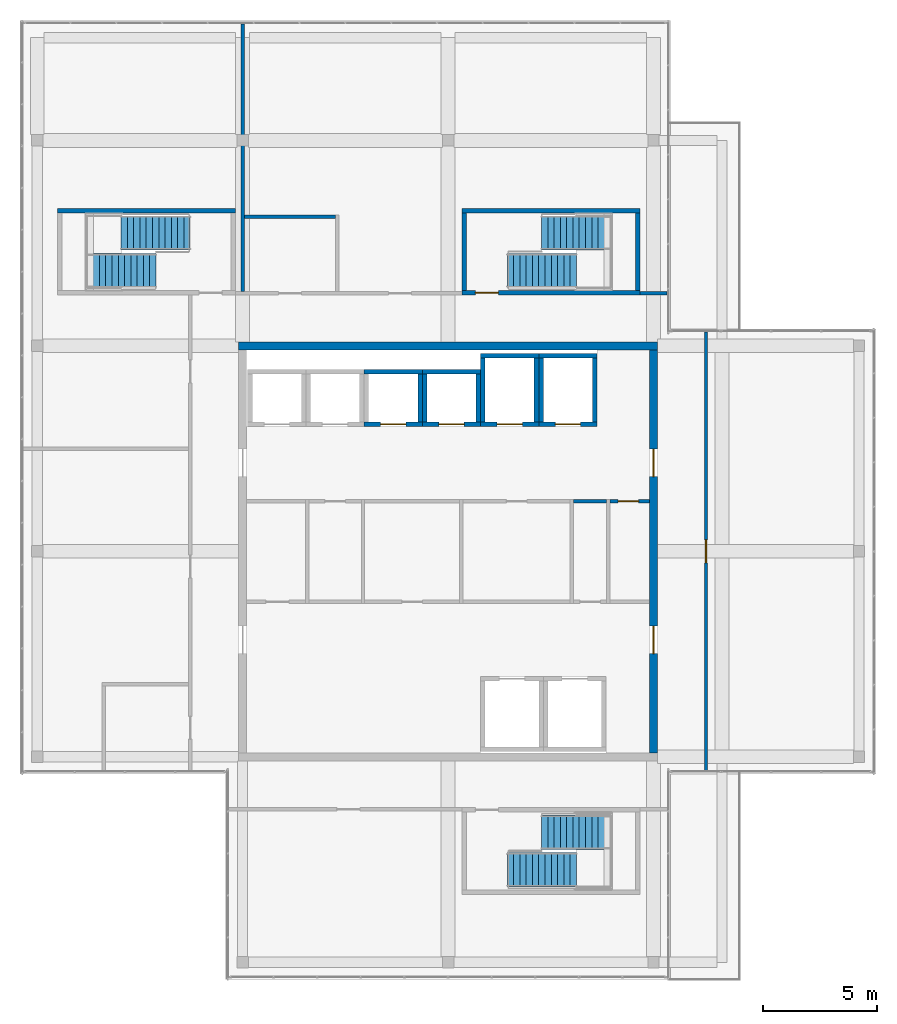
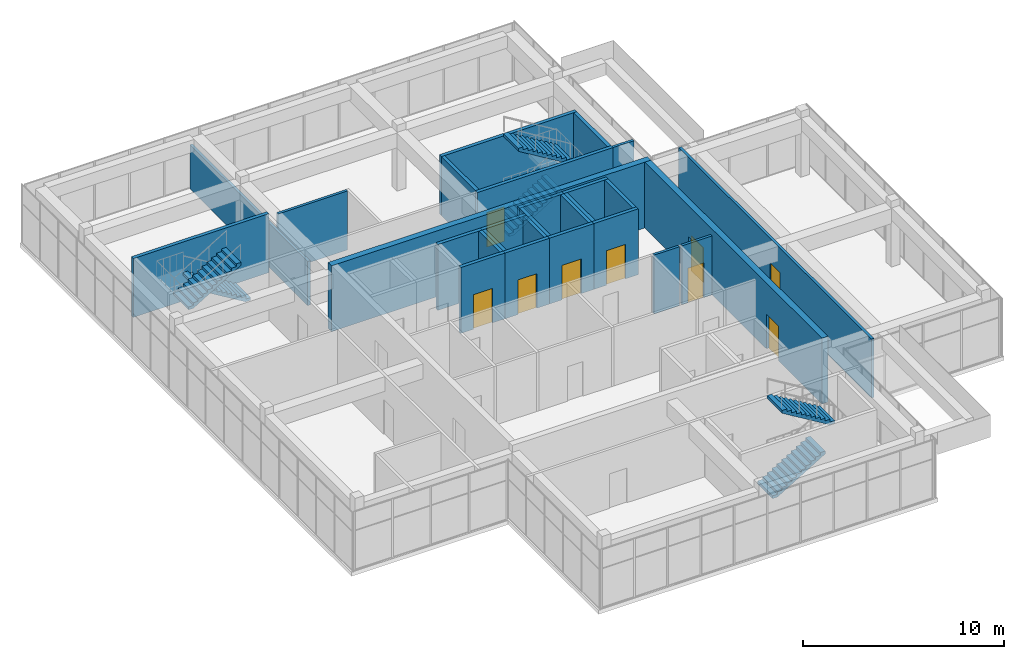
# One storey, part 34 of 36: 28 walls, 9 doors, 6 stair flights, 9 openings, 3 elements without a shape of their own.
"""IFC4 building model written with IfcOpenShell, lengths in metres."""

from ifc_helpers import new_model, si_unit, direction, frame, frame_2d, origin, place, context, subcontext, project, spatial, polyline, rectangle, outline, extrude, material, layer, layer_set, type_object, element, fill, aggregate, save


model = new_model("IFC4")

# Units and contexts
model_context = context("Model", 3, precision=1e-05, world=origin(), true_north=direction((0.0, 1.0)))
body_context = subcontext(model_context, "Body", "Model", "MODEL_VIEW")
ifc_project = project(units=[si_unit("LENGTHUNIT", "METRE"), si_unit("AREAUNIT", "SQUARE_METRE"), si_unit("VOLUMEUNIT", "CUBIC_METRE"), si_unit("PLANEANGLEUNIT", "RADIAN"), si_unit("MASSUNIT", "GRAM", prefix="KILO")], contexts=[model_context])

# Site, building, storey
site_placement = place(None, origin())
site = spatial("IfcSite", under=ifc_project, at=site_placement, CompositionType="ELEMENT")
building_placement = place(site_placement, origin())
building = spatial("IfcBuilding", under=site, at=building_placement, Name="Tuart Plaza Theatre", CompositionType="ELEMENT")
storey_placement = place(building_placement, frame((0.0, 0.0, 61.5)))
storey = spatial("IfcBuildingStorey", under=building, at=storey_placement, Name="L15", CompositionType="ELEMENT", Elevation=61.5)

# Wall
ifc_material_1 = material(Name="Masonry block", Category="masonry")
ifc_layer_1 = layer(ifc_material_1, 0.14990234375)
ifc_layer_set_1 = layer_set([ifc_layer_1], Name="PARTITION BLK150 MASONRYB FRL -/120/120")
wall_type_1 = type_object("IfcWallType", Name="PARTITION BLK150 MASONRYB FRL -/120/120", PredefinedType="PARTITIONING", material=ifc_layer_set_1)
wall_1_placement = place(storey_placement, frame((137.5, 76.199951171875, 0.0), z_axis=(0.0, 0.0, 1.0), x_axis=(1.0, 0.0, 0.0)))
element("IfcWall", 1, at=wall_1_placement, inside=storey, type_object=wall_type_1, Name="P706", PredefinedType="PARTITIONING", context=body_context, shape_type="SweptSolid", body=[
    extrude(rectangle(XDim=1.449951171875, YDim=0.14990234375, at=frame_2d((0.72509765625, 0.0))), origin(), (0.0, 0.0, 1.0), 3.580078125),
])

# Wall, opening, door
wall_2_placement = place(storey_placement, frame((139.10009765625, 76.199951171875, 0.0), z_axis=(0.0, 0.0, 1.0), x_axis=(1.0, 0.0, 0.0)))
wall_2 = element("IfcWall", 2, at=wall_2_placement, inside=storey, type_object=wall_type_1, Name="P708", PredefinedType="PARTITIONING", context=body_context, shape_type="SweptSolid", body=[
    extrude(rectangle(XDim=1.724853515625, YDim=0.14990234375, at=frame_2d((0.8623046875, 0.0))), origin(), (0.0, 0.0, 1.0), 3.580078125),
])
opening_1_placement = place(wall_2_placement, frame((0.35009765625, 0.0, 0.0)))
opening_1 = element("IfcOpeningElement", 3, at=opening_1_placement, cuts=wall_2, Name="Opening L15-021", PredefinedType="OPENING", context=body_context, shape_type="SweptSolid", body=[
    extrude(rectangle(XDim=0.89990234375, YDim=2.10009765625, at=frame_2d((0.449951171875, 1.050048828125))), frame((0.0, 0.0849609375, 0.0), z_axis=(0.0, -1.0, 0.0), x_axis=(1.0, 0.0, 0.0)), (0.0, 0.0, 1.0), 0.169921875),
])
ifc_material_2 = material(Name="Steel Grade 300", Category="steel")
door_type_1 = type_object("IfcDoorType", Name="DOOR 900x2100 steel single swing FRL -/120/30", OperationType="SINGLE_SWING_LEFT", PredefinedType="DOOR", material=ifc_material_2)
door_1_placement = place(opening_1_placement, frame((0.89990234375, 0.0, 0.0), z_axis=(0.0, 0.0, 1.0), x_axis=(-1.0, 0.0, 0.0)))
door_1 = element("IfcDoor", 4, at=door_1_placement, inside=storey, type_object=door_type_1, Name="L15-021", OperationType="SINGLE_SWING_LEFT", OverallHeight=2.10009765625, OverallWidth=0.89990234375, PredefinedType="DOOR", context=body_context, shape_type="SweptSolid", body=[
    extrude(rectangle(XDim=0.89990234375, YDim=2.10009765625, at=frame_2d((0.449951171875, 1.050048828125))), frame((0.0, 0.02490234375, 0.0), z_axis=(0.0, -1.0, 0.0), x_axis=(1.0, 0.0, 0.0)), (0.0, 0.0, 1.0), 0.050048828125),
])
fill(opening_1, door_1)

ifc_material_3 = material(Name="Masonry block", Category="masonry")
ifc_layer_2 = layer(ifc_material_3, 0.14990234375)
ifc_layer_set_2 = layer_set([ifc_layer_2], Name="PARTITION BLK150 MASONRYB FRL 120/-/-")
wall_type_2 = type_object("IfcWallType", Name="PARTITION BLK150 MASONRYB FRL 120/-/-", PredefinedType="PARTITIONING", material=ifc_layer_set_2)
wall_3_placement = place(storey_placement, frame((143.300048828125, 83.60009765625, 0.0), z_axis=(0.0, 0.0, 1.0), x_axis=(0.0, -1.0, 0.0)))
wall_3 = element("IfcWall", 5, at=wall_3_placement, inside=storey, type_object=wall_type_2, Name="P712", PredefinedType="PARTITIONING", context=body_context, shape_type="SweptSolid", body=[
    extrude(rectangle(XDim=19.2001953125, YDim=0.14990234375, at=frame_2d((9.60009765625, 0.0))), origin(), (0.0, 0.0, 1.0), 3.580078125),
])
opening_2_placement = place(wall_3_placement, frame((9.10009765625, 0.0, 0.0)))
opening_2 = element("IfcOpeningElement", 6, at=opening_2_placement, cuts=wall_3, Name="Opening L15-026", PredefinedType="OPENING", context=body_context, shape_type="SweptSolid", body=[
    extrude(rectangle(XDim=1.0, YDim=2.10009765625, at=frame_2d((0.5, 1.050048828125))), frame((0.0, 0.0849609375, 0.0), z_axis=(0.0, -1.0, 0.0), x_axis=(1.0, 0.0, 0.0)), (0.0, 0.0, 1.0), 0.169921875),
])
ifc_material_4 = material(Name="Timber", Category="wood")
door_type_2 = type_object("IfcDoorType", Name="DOOR 1000x2100 timber single swing FRL -/60/30", OperationType="SINGLE_SWING_LEFT", PredefinedType="DOOR", material=ifc_material_4)
door_2_placement = place(opening_2_placement, origin())
door_2 = element("IfcDoor", 7, at=door_2_placement, inside=storey, type_object=door_type_2, Name="L15-026", OperationType="SINGLE_SWING_LEFT", OverallHeight=2.10009765625, OverallWidth=1.0, PredefinedType="DOOR", context=body_context, shape_type="SweptSolid", body=[
    extrude(rectangle(XDim=1.0, YDim=2.10009765625, at=frame_2d((0.5, 1.050048828125))), frame((0.0, 0.02490234375, 0.0), z_axis=(0.0, -1.0, 0.0), x_axis=(1.0, 0.0, 0.0)), (0.0, 0.0, 1.0), 0.050048828125),
])
fill(opening_2, door_2)

# Walls
wall_4_placement = place(storey_placement, frame((140.39990234375, 85.300048828125, 0.0), z_axis=(0.0, 0.0, 1.0), x_axis=(1.0, 0.0, 0.0)))
element("IfcWall", 8, at=wall_4_placement, inside=storey, type_object=wall_type_2, Name="P714", PredefinedType="PARTITIONING", context=body_context, shape_type="SweptSolid", body=[
    extrude(rectangle(XDim=1.2001953125, YDim=0.14990234375, at=frame_2d((0.60009765625, 0.0))), origin(), (0.0, 0.0, 1.0), 3.580078125),
])
wall_5_placement = place(storey_placement, frame((123.0, 85.3740234375, 0.0), z_axis=(0.0, 0.0, 1.0), x_axis=(0.0, 1.0, 0.0)))
element("IfcWall", 9, at=wall_5_placement, inside=storey, type_object=wall_type_2, Name="P715", PredefinedType="PARTITIONING", context=body_context, shape_type="SweptSolid", body=[
    extrude(rectangle(XDim=11.72607421875, YDim=0.14990234375, at=frame_2d((5.863037109375, 0.0))), origin(), (0.0, 0.0, 1.0), 2.679931640625),
])
wall_6_placement = place(storey_placement, frame((123.074951171875, 88.64990234375, 0.0), z_axis=(0.0, 0.0, 1.0), x_axis=(1.0, 0.0, 0.0)))
element("IfcWall", 10, at=wall_6_placement, inside=storey, type_object=wall_type_2, Name="P719", PredefinedType="PARTITIONING", context=body_context, shape_type="SweptSolid", body=[
    extrude(rectangle(XDim=4.0, YDim=0.14990234375, at=frame_2d((2.0, 0.0))), origin(), (0.0, 0.0, 1.0), 3.580078125),
])

# Wall, opening, door
ifc_material_5 = material(Name="Concrete N40 (40 MPa)", Category="concrete")
ifc_layer_3 = layer(ifc_material_5, 0.199951171875)
ifc_layer_set_3 = layer_set([ifc_layer_3], Name="SHEAR WALL RC200 FRL 120/120/120")
wall_type_3 = type_object("IfcWallType", Name="SHEAR WALL RC200 FRL 120/120/120", PredefinedType="SHEAR", material=ifc_layer_set_3)
wall_7_placement = place(storey_placement, frame((128.324951171875, 79.574951171875, 0.0), z_axis=(0.0, 0.0, 1.0), x_axis=(1.0, 0.0, 0.0)))
wall_7 = element("IfcWall", 11, at=wall_7_placement, inside=storey, type_object=wall_type_3, Name="W930", PredefinedType="SHEAR", context=body_context, shape_type="SweptSolid", body=[
    extrude(rectangle(XDim=2.550048828125, YDim=0.199951171875, at=frame_2d((1.27490234375, 0.0))), origin(), (0.0, 0.0, 1.0), 4.0),
])
opening_3_placement = place(wall_7_placement, frame((0.72509765625, 0.0, 0.0)))
opening_3 = element("IfcOpeningElement", 12, at=opening_3_placement, cuts=wall_7, Name="Opening L15-003", PredefinedType="OPENING", context=body_context, shape_type="SweptSolid", body=[
    extrude(rectangle(XDim=1.10009765625, YDim=2.10009765625, at=frame_2d((0.550048828125, 1.050048828125))), frame((0.0, 0.10986328125, 0.0), z_axis=(0.0, -1.0, 0.0), x_axis=(1.0, 0.0, 0.0)), (0.0, 0.0, 1.0), 0.219970703125),
])
ifc_material_6 = material(Name="Steel Grade 300", Category="steel")
door_type_3 = type_object("IfcDoorType", Name="LANDING DOOR 1100x2100 steel sliding FRL -/120/30", OperationType="SLIDING_TO_LEFT", PredefinedType="DOOR", material=ifc_material_6)
door_3_placement = place(opening_3_placement, origin())
door_3 = element("IfcDoor", 13, at=door_3_placement, inside=storey, type_object=door_type_3, Name="L15-003", OperationType="SLIDING_TO_LEFT", OverallHeight=2.10009765625, OverallWidth=1.10009765625, PredefinedType="DOOR", context=body_context, shape_type="SweptSolid", body=[
    extrude(rectangle(XDim=1.10009765625, YDim=2.10009765625, at=frame_2d((0.550048828125, 1.050048828125))), frame((0.0, 0.02490234375, 0.0), z_axis=(0.0, -1.0, 0.0), x_axis=(1.0, 0.0, 0.0)), (0.0, 0.0, 1.0), 0.050048828125),
])
fill(opening_3, door_3)

# Walls
wall_8_placement = place(storey_placement, frame((130.77490234375, 79.675048828125, 0.0), z_axis=(0.0, 0.0, 1.0), x_axis=(0.0, 1.0, 0.0)))
element("IfcWall", 14, at=wall_8_placement, inside=storey, type_object=wall_type_3, Name="W931", PredefinedType="SHEAR", context=body_context, shape_type="SweptSolid", body=[
    extrude(rectangle(XDim=2.099853515625, YDim=0.199951171875, at=frame_2d((1.0498046875, 0.0))), origin(), (0.0, 0.0, 1.0), 4.0),
])
wall_9_placement = place(storey_placement, frame((130.875, 81.875, 0.0), z_axis=(0.0, 0.0, 1.0), x_axis=(-1.0, 0.0, 0.0)))
element("IfcWall", 15, at=wall_9_placement, inside=storey, type_object=wall_type_3, Name="W932", PredefinedType="SHEAR", context=body_context, shape_type="SweptSolid", body=[
    extrude(rectangle(XDim=2.550048828125, YDim=0.199951171875, at=frame_2d((1.27490234375, 0.0))), origin(), (0.0, 0.0, 1.0), 4.0),
])

# Wall, opening, door
wall_10_placement = place(storey_placement, frame((130.875, 79.574951171875, 0.0), z_axis=(0.0, 0.0, 1.0), x_axis=(1.0, 0.0, 0.0)))
wall_10 = element("IfcWall", 16, at=wall_10_placement, inside=storey, type_object=wall_type_3, Name="W1002", PredefinedType="SHEAR", context=body_context, shape_type="SweptSolid", body=[
    extrude(rectangle(XDim=2.550048828125, YDim=0.199951171875, at=frame_2d((1.27490234375, 0.0))), origin(), (0.0, 0.0, 1.0), 4.0),
])
opening_4_placement = place(wall_10_placement, frame((0.72509765625, 0.0, 0.0)))
opening_4 = element("IfcOpeningElement", 17, at=opening_4_placement, cuts=wall_10, Name="Opening L15-004", PredefinedType="OPENING", context=body_context, shape_type="SweptSolid", body=[
    extrude(rectangle(XDim=1.10009765625, YDim=2.10009765625, at=frame_2d((0.550048828125, 1.050048828125))), frame((0.0, 0.10986328125, 0.0), z_axis=(0.0, -1.0, 0.0), x_axis=(1.0, 0.0, 0.0)), (0.0, 0.0, 1.0), 0.219970703125),
])
door_4_placement = place(opening_4_placement, origin())
door_4 = element("IfcDoor", 18, at=door_4_placement, inside=storey, type_object=door_type_3, Name="L15-004", OperationType="SLIDING_TO_LEFT", OverallHeight=2.10009765625, OverallWidth=1.10009765625, PredefinedType="DOOR", context=body_context, shape_type="SweptSolid", body=[
    extrude(rectangle(XDim=1.10009765625, YDim=2.10009765625, at=frame_2d((0.550048828125, 1.050048828125))), frame((0.0, 0.02490234375, 0.0), z_axis=(0.0, -1.0, 0.0), x_axis=(1.0, 0.0, 0.0)), (0.0, 0.0, 1.0), 0.050048828125),
])
fill(opening_4, door_4)

# Walls
wall_11_placement = place(storey_placement, frame((133.324951171875, 79.675048828125, 0.0), z_axis=(0.0, 0.0, 1.0), x_axis=(0.0, 1.0, 0.0)))
element("IfcWall", 19, at=wall_11_placement, inside=storey, type_object=wall_type_3, Name="W1003", PredefinedType="SHEAR", context=body_context, shape_type="SweptSolid", body=[
    extrude(rectangle(XDim=2.099853515625, YDim=0.199951171875, at=frame_2d((1.0498046875, 0.0))), origin(), (0.0, 0.0, 1.0), 4.0),
])
wall_12_placement = place(storey_placement, frame((133.425048828125, 81.875, 0.0), z_axis=(0.0, 0.0, 1.0), x_axis=(-1.0, 0.0, 0.0)))
element("IfcWall", 20, at=wall_12_placement, inside=storey, type_object=wall_type_3, Name="W1004", PredefinedType="SHEAR", context=body_context, shape_type="SweptSolid", body=[
    extrude(rectangle(XDim=2.550048828125, YDim=0.199951171875, at=frame_2d((1.27490234375, 0.0))), origin(), (0.0, 0.0, 1.0), 4.0),
])
wall_13_placement = place(storey_placement, frame((130.97509765625, 81.77490234375, 0.0), z_axis=(0.0, 0.0, 1.0), x_axis=(0.0, -1.0, 0.0)))
element("IfcWall", 21, at=wall_13_placement, inside=storey, type_object=wall_type_3, Name="W1005", PredefinedType="SHEAR", context=body_context, shape_type="SweptSolid", body=[
    extrude(rectangle(XDim=2.099853515625, YDim=0.199951171875, at=frame_2d((1.0498046875, 0.0))), origin(), (0.0, 0.0, 1.0), 4.0),
])

# Wall, opening, door
wall_14_placement = place(storey_placement, frame((133.425048828125, 79.574951171875, 0.0), z_axis=(0.0, 0.0, 1.0), x_axis=(1.0, 0.0, 0.0)))
wall_14 = element("IfcWall", 22, at=wall_14_placement, inside=storey, type_object=wall_type_3, Name="W1226", PredefinedType="SHEAR", context=body_context, shape_type="SweptSolid", body=[
    extrude(rectangle(XDim=2.550048828125, YDim=0.199951171875, at=frame_2d((1.27490234375, 0.0))), origin(), (0.0, 0.0, 1.0), 4.0),
])
opening_5_placement = place(wall_14_placement, frame((0.72509765625, 0.0, 0.0)))
opening_5 = element("IfcOpeningElement", 23, at=opening_5_placement, cuts=wall_14, Name="Opening L15-007", PredefinedType="OPENING", context=body_context, shape_type="SweptSolid", body=[
    extrude(rectangle(XDim=1.10009765625, YDim=2.10009765625, at=frame_2d((0.550048828125, 1.050048828125))), frame((0.0, 0.10986328125, 0.0), z_axis=(0.0, -1.0, 0.0), x_axis=(1.0, 0.0, 0.0)), (0.0, 0.0, 1.0), 0.219970703125),
])
door_5_placement = place(opening_5_placement, origin())
door_5 = element("IfcDoor", 24, at=door_5_placement, inside=storey, type_object=door_type_3, Name="L15-007", OperationType="SLIDING_TO_LEFT", OverallHeight=2.10009765625, OverallWidth=1.10009765625, PredefinedType="DOOR", context=body_context, shape_type="SweptSolid", body=[
    extrude(rectangle(XDim=1.10009765625, YDim=2.10009765625, at=frame_2d((0.550048828125, 1.050048828125))), frame((0.0, 0.02490234375, 0.0), z_axis=(0.0, -1.0, 0.0), x_axis=(1.0, 0.0, 0.0)), (0.0, 0.0, 1.0), 0.050048828125),
])
fill(opening_5, door_5)

# Walls
wall_15_placement = place(storey_placement, frame((135.875, 79.675048828125, 0.0), z_axis=(0.0, 0.0, 1.0), x_axis=(0.0, 1.0, 0.0)))
element("IfcWall", 25, at=wall_15_placement, inside=storey, type_object=wall_type_3, Name="W1227", PredefinedType="SHEAR", context=body_context, shape_type="SweptSolid", body=[
    extrude(rectangle(XDim=2.800048828125, YDim=0.199951171875, at=frame_2d((1.39990234375, 0.0))), origin(), (0.0, 0.0, 1.0), 4.0),
])
wall_16_placement = place(storey_placement, frame((135.97509765625, 82.574951171875, 0.0), z_axis=(0.0, 0.0, 1.0), x_axis=(-1.0, 0.0, 0.0)))
element("IfcWall", 26, at=wall_16_placement, inside=storey, type_object=wall_type_3, Name="W1228", PredefinedType="SHEAR", context=body_context, shape_type="SweptSolid", body=[
    extrude(rectangle(XDim=2.550048828125, YDim=0.199951171875, at=frame_2d((1.27490234375, 0.0))), origin(), (0.0, 0.0, 1.0), 4.0),
])
wall_17_placement = place(storey_placement, frame((133.52490234375, 82.47509765625, 0.0), z_axis=(0.0, 0.0, 1.0), x_axis=(0.0, -1.0, 0.0)))
element("IfcWall", 27, at=wall_17_placement, inside=storey, type_object=wall_type_3, Name="W1229", PredefinedType="SHEAR", context=body_context, shape_type="SweptSolid", body=[
    extrude(rectangle(XDim=2.800048828125, YDim=0.199951171875, at=frame_2d((1.39990234375, 0.0))), origin(), (0.0, 0.0, 1.0), 4.0),
])

# Wall, opening, door
wall_18_placement = place(storey_placement, frame((135.97509765625, 79.574951171875, 0.0), z_axis=(0.0, 0.0, 1.0), x_axis=(1.0, 0.0, 0.0)))
wall_18 = element("IfcWall", 28, at=wall_18_placement, inside=storey, type_object=wall_type_3, Name="W1302", PredefinedType="SHEAR", context=body_context, shape_type="SweptSolid", body=[
    extrude(rectangle(XDim=2.5498046875, YDim=0.199951171875, at=frame_2d((1.27490234375, 0.0))), origin(), (0.0, 0.0, 1.0), 4.0),
])
opening_6_placement = place(wall_18_placement, frame((0.72509765625, 0.0, 0.0)))
opening_6 = element("IfcOpeningElement", 29, at=opening_6_placement, cuts=wall_18, Name="Opening L15-008", PredefinedType="OPENING", context=body_context, shape_type="SweptSolid", body=[
    extrude(rectangle(XDim=1.10009765625, YDim=2.10009765625, at=frame_2d((0.550048828125, 1.050048828125))), frame((0.0, 0.10986328125, 0.0), z_axis=(0.0, -1.0, 0.0), x_axis=(1.0, 0.0, 0.0)), (0.0, 0.0, 1.0), 0.219970703125),
])
door_6_placement = place(opening_6_placement, origin())
door_6 = element("IfcDoor", 30, at=door_6_placement, inside=storey, type_object=door_type_3, Name="L15-008", OperationType="SLIDING_TO_LEFT", OverallHeight=2.10009765625, OverallWidth=1.10009765625, PredefinedType="DOOR", context=body_context, shape_type="SweptSolid", body=[
    extrude(rectangle(XDim=1.10009765625, YDim=2.10009765625, at=frame_2d((0.550048828125, 1.050048828125))), frame((0.0, 0.02490234375, 0.0), z_axis=(0.0, -1.0, 0.0), x_axis=(1.0, 0.0, 0.0)), (0.0, 0.0, 1.0), 0.050048828125),
])
fill(opening_6, door_6)

# Walls
wall_19_placement = place(storey_placement, frame((138.425048828125, 79.675048828125, 0.0), z_axis=(0.0, 0.0, 1.0), x_axis=(0.0, 1.0, 0.0)))
element("IfcWall", 31, at=wall_19_placement, inside=storey, type_object=wall_type_3, Name="W1303", PredefinedType="SHEAR", context=body_context, shape_type="SweptSolid", body=[
    extrude(rectangle(XDim=2.800048828125, YDim=0.199951171875, at=frame_2d((1.39990234375, 0.0))), origin(), (0.0, 0.0, 1.0), 4.0),
])
wall_20_placement = place(storey_placement, frame((138.52490234375, 82.574951171875, 0.0), z_axis=(0.0, 0.0, 1.0), x_axis=(-1.0, 0.0, 0.0)))
element("IfcWall", 32, at=wall_20_placement, inside=storey, type_object=wall_type_3, Name="W1304", PredefinedType="SHEAR", context=body_context, shape_type="SweptSolid", body=[
    extrude(rectangle(XDim=2.5498046875, YDim=0.199951171875, at=frame_2d((1.27490234375, 0.0))), origin(), (0.0, 0.0, 1.0), 4.0),
])
wall_21_placement = place(storey_placement, frame((136.074951171875, 82.47509765625, 0.0), z_axis=(0.0, 0.0, 1.0), x_axis=(0.0, -1.0, 0.0)))
element("IfcWall", 33, at=wall_21_placement, inside=storey, type_object=wall_type_3, Name="W1305", PredefinedType="SHEAR", context=body_context, shape_type="SweptSolid", body=[
    extrude(rectangle(XDim=2.800048828125, YDim=0.199951171875, at=frame_2d((1.39990234375, 0.0))), origin(), (0.0, 0.0, 1.0), 4.0),
])

# Wall, opening, door
wall_22_placement = place(storey_placement, frame((132.60009765625, 85.324951171875, 0.0), z_axis=(0.0, 0.0, 1.0), x_axis=(1.0, 0.0, 0.0)))
wall_22 = element("IfcWall", 34, at=wall_22_placement, inside=storey, type_object=wall_type_3, Name="P440", PredefinedType="SHEAR", context=body_context, shape_type="SweptSolid", body=[
    extrude(rectangle(XDim=7.7998046875, YDim=0.199951171875, at=frame_2d((3.89990234375, 0.0))), origin(), (0.0, 0.0, 1.0), 3.580078125),
])
opening_7_placement = place(wall_22_placement, frame((0.60009765625, 0.0, 0.0)))
opening_7 = element("IfcOpeningElement", 35, at=opening_7_placement, cuts=wall_22, Name="Opening L15-010", PredefinedType="OPENING", context=body_context, shape_type="SweptSolid", body=[
    extrude(rectangle(XDim=1.0, YDim=2.10009765625, at=frame_2d((0.5, 1.050048828125))), frame((0.0, 0.10986328125, 0.0), z_axis=(0.0, -1.0, 0.0), x_axis=(1.0, 0.0, 0.0)), (0.0, 0.0, 1.0), 0.219970703125),
])
ifc_material_7 = material(Name="Steel Grade 300", Category="steel")
door_type_4 = type_object("IfcDoorType", Name="DOOR 1000x2100 steel single swing FRL -/120/30", OperationType="SINGLE_SWING_LEFT", PredefinedType="DOOR", material=ifc_material_7)
door_7_placement = place(opening_7_placement, origin())
door_7 = element("IfcDoor", 36, at=door_7_placement, inside=storey, type_object=door_type_4, Name="L15-010", OperationType="SINGLE_SWING_RIGHT", OverallHeight=2.10009765625, OverallWidth=1.0, PredefinedType="DOOR", context=body_context, shape_type="SweptSolid", body=[
    extrude(rectangle(XDim=1.0, YDim=2.10009765625, at=frame_2d((0.5, 1.050048828125))), frame((0.0, 0.02490234375, 0.0), z_axis=(0.0, -1.0, 0.0), x_axis=(1.0, 0.0, 0.0)), (0.0, 0.0, 1.0), 0.050048828125),
])
fill(opening_7, door_7)

# Walls
wall_23_placement = place(storey_placement, frame((140.300048828125, 85.425048828125, 0.0), z_axis=(0.0, 0.0, 1.0), x_axis=(0.0, 1.0, 0.0)))
element("IfcWall", 37, at=wall_23_placement, inside=storey, type_object=wall_type_3, Name="P441", PredefinedType="SHEAR", context=body_context, shape_type="SweptSolid", body=[
    extrude(rectangle(XDim=3.39990234375, YDim=0.199951171875, at=frame_2d((1.699951171875, 0.0))), origin(), (0.0, 0.0, 1.0), 3.580078125),
])
wall_24_placement = place(storey_placement, frame((140.39990234375, 88.925048828125, 0.0), z_axis=(0.0, 0.0, 1.0), x_axis=(-1.0, 0.0, 0.0)))
element("IfcWall", 38, at=wall_24_placement, inside=storey, type_object=wall_type_3, Name="P442", PredefinedType="SHEAR", context=body_context, shape_type="SweptSolid", body=[
    extrude(rectangle(XDim=7.7998046875, YDim=0.199951171875, at=frame_2d((3.89990234375, 0.0))), origin(), (0.0, 0.0, 1.0), 3.580078125),
])
wall_25_placement = place(storey_placement, frame((132.699951171875, 88.824951171875, 0.0), z_axis=(0.0, 0.0, 1.0), x_axis=(0.0, -1.0, 0.0)))
element("IfcWall", 39, at=wall_25_placement, inside=storey, type_object=wall_type_3, Name="P443", PredefinedType="SHEAR", context=body_context, shape_type="SweptSolid", body=[
    extrude(rectangle(XDim=3.39990234375, YDim=0.199951171875, at=frame_2d((1.699951171875, 0.0))), origin(), (0.0, 0.0, 1.0), 3.580078125),
])
wall_26_placement = place(storey_placement, frame((122.699951171875, 88.925048828125, 0.0), z_axis=(0.0, 0.0, 1.0), x_axis=(-1.0, 0.0, 0.0)))
element("IfcWall", 40, at=wall_26_placement, inside=storey, type_object=wall_type_3, Name="P470", PredefinedType="SHEAR", context=body_context, shape_type="SweptSolid", body=[
    extrude(rectangle(XDim=7.800048828125, YDim=0.199951171875, at=frame_2d((3.89990234375, 0.0))), origin(), (0.0, 0.0, 1.0), 3.580078125),
])

# Wall, openings, doors
ifc_material_8 = material(Name="Concrete N40 (40 MPa)", Category="concrete")
ifc_layer_4 = layer(ifc_material_8, 0.35009765625)
ifc_layer_set_4 = layer_set([ifc_layer_4], Name="SHEAR WALL RC350 FRL 120/120/120")
wall_type_4 = type_object("IfcWallType", Name="SHEAR WALL RC350 FRL 120/120/120", PredefinedType="SHEAR", material=ifc_layer_set_4)
wall_27_placement = place(storey_placement, frame((141.0, 65.175048828125, 0.0), z_axis=(0.0, 0.0, 1.0), x_axis=(0.0, 1.0, 0.0)))
wall_27 = element("IfcWall", 41, at=wall_27_placement, inside=storey, type_object=wall_type_4, Name="W428", PredefinedType="SHEAR", context=body_context, shape_type="SweptSolid", body=[
    extrude(rectangle(XDim=17.64990234375, YDim=0.35009765625, at=frame_2d((8.824951171875, 0.0))), origin(), (0.0, 0.0, 1.0), 4.0),
])
opening_8_placement = place(wall_27_placement, frame((4.35009765625, 0.0, 0.0)))
opening_8 = element("IfcOpeningElement", 42, at=opening_8_placement, cuts=wall_27, Name="Opening L15-013", PredefinedType="OPENING", context=body_context, shape_type="SweptSolid", body=[
    extrude(rectangle(XDim=1.199951171875, YDim=2.10009765625, at=frame_2d((0.60009765625, 1.050048828125))), frame((0.0, 0.18505859375, 0.0), z_axis=(0.0, -1.0, 0.0), x_axis=(1.0, 0.0, 0.0)), (0.0, 0.0, 1.0), 0.3701171875),
])
opening_9_placement = place(wall_27_placement, frame((12.10009765625, 0.0, 0.0)))
opening_9 = element("IfcOpeningElement", 43, at=opening_9_placement, cuts=wall_27, Name="Opening L15-015", PredefinedType="OPENING", context=body_context, shape_type="SweptSolid", body=[
    extrude(rectangle(XDim=1.199951171875, YDim=2.10009765625, at=frame_2d((0.60009765625, 1.050048828125))), frame((0.0, 0.18505859375, 0.0), z_axis=(0.0, -1.0, 0.0), x_axis=(1.0, 0.0, 0.0)), (0.0, 0.0, 1.0), 0.3701171875),
])
ifc_material_9 = material(Name="Steel Grade 300", Category="steel")
door_type_5 = type_object("IfcDoorType", Name="DOOR 1200x2100 steel single swing FRL -/120/30", OperationType="SINGLE_SWING_LEFT", PredefinedType="DOOR", material=ifc_material_9)
door_8_placement = place(opening_8_placement, frame((1.199951171875, 0.0, 0.0), z_axis=(0.0, 0.0, 1.0), x_axis=(-1.0, 0.0, 0.0)))
door_8 = element("IfcDoor", 44, at=door_8_placement, inside=storey, type_object=door_type_5, Name="L15-013", OperationType="SINGLE_SWING_LEFT", OverallHeight=2.10009765625, OverallWidth=1.199951171875, PredefinedType="DOOR", context=body_context, shape_type="SweptSolid", body=[
    extrude(rectangle(XDim=1.199951171875, YDim=2.10009765625, at=frame_2d((0.60009765625, 1.050048828125))), frame((0.0, 0.02490234375, 0.0), z_axis=(0.0, -1.0, 0.0), x_axis=(1.0, 0.0, 0.0)), (0.0, 0.0, 1.0), 0.050048828125),
])
fill(opening_8, door_8)
door_9_placement = place(opening_9_placement, frame((1.199951171875, 0.0, 0.0), z_axis=(0.0, 0.0, 1.0), x_axis=(-1.0, 0.0, 0.0)))
door_9 = element("IfcDoor", 45, at=door_9_placement, inside=storey, type_object=door_type_5, Name="L15-015", OperationType="SINGLE_SWING_RIGHT", OverallHeight=2.10009765625, OverallWidth=1.199951171875, PredefinedType="DOOR", context=body_context, shape_type="SweptSolid", body=[
    extrude(rectangle(XDim=1.199951171875, YDim=2.10009765625, at=frame_2d((0.60009765625, 1.050048828125))), frame((0.0, 0.02490234375, 0.0), z_axis=(0.0, -1.0, 0.0), x_axis=(1.0, 0.0, 0.0)), (0.0, 0.0, 1.0), 0.050048828125),
])
fill(opening_9, door_9)

# Wall
wall_28_placement = place(storey_placement, frame((141.175048828125, 83.0, 0.0), z_axis=(0.0, 0.0, 1.0), x_axis=(-1.0, 0.0, 0.0)))
element("IfcWall", 46, at=wall_28_placement, inside=storey, type_object=wall_type_4, Name="W429", PredefinedType="SHEAR", context=body_context, shape_type="SweptSolid", body=[
    extrude(rectangle(XDim=18.35009765625, YDim=0.35009765625, at=frame_2d((9.175048828125, 0.0))), origin(), (0.0, 0.0, 1.0), 4.0),
])

# Stair, stair flights
ifc_material_10 = material(Name="Concrete N40 (40 MPa)", Category="concrete")
stair_type = type_object("IfcStairType", Name="STAIR half turn 1500", PredefinedType="HALF_TURN_STAIR", material=ifc_material_10)
stair_1_placement = place(storey_placement, origin())
stair_1 = element("IfcStair", 47, at=stair_1_placement, inside=storey, type_object=stair_type, Name="SC-6", PredefinedType="HALF_TURN_STAIR")
ifc_material_11 = material(Name="Concrete N40 (40 MPa)", Category="concrete")
stair_flight_type = type_object("IfcStairFlightType", Name="STAIR FLIGHT 166.7 275 1500", PredefinedType="STRAIGHT", material=ifc_material_11)
stair_flight_1_placement = place(storey_placement, frame((134.594970703125, 60.050048828125, 0.0), z_axis=(0.0, 0.0, 1.0), x_axis=(1.0, 0.0, 0.0)))
stair_flight_1 = element("IfcStairFlight", 48, at=stair_flight_1_placement, type_object=stair_flight_type, Name="SC-6 flight 1", NumberOfRisers=12, NumberOfTreads=11, PredefinedType="STRAIGHT", RiserHeight=0.166666667, TreadLength=0.275, context=body_context, shape_type="SweptSolid", body=[
    extrude(outline(polyline([(0.0, 0.0), (0.0, 0.166748046875), (0.27490234375, 0.166748046875), (0.27490234375, 0.333251953125), (0.550048828125, 0.333251953125), (0.550048828125, 0.5), (0.824951171875, 0.5), (0.824951171875, 0.666748046875), (1.10009765625, 0.666748046875), (1.10009765625, 0.833251953125), (1.375, 0.833251953125), (1.375, 1.0), (1.64990234375, 1.0), (1.64990234375, 1.166748046875), (1.925048828125, 1.166748046875), (1.925048828125, 1.333251953125), (2.199951171875, 1.333251953125), (2.199951171875, 1.5), (2.47509765625, 1.5), (2.47509765625, 1.666748046875), (2.75, 1.666748046875), (2.75, 1.833251953125), (3.02490234375, 1.833251953125), (3.02490234375, 2.0), (3.02490234375, 1.657958984375), (0.289306640625, 0.0), (0.0, 0.0)])), frame((0.0, 0.75, 0.0), z_axis=(0.0, -1.0, 0.0), x_axis=(1.0, 0.0, 0.0)), (0.0, 0.0, 1.0), 1.5),
])
stair_flight_2_placement = place(storey_placement, frame((139.1201171875, 61.699951171875, 2.0), z_axis=(0.0, 0.0, 1.0), x_axis=(-1.0, 0.0, 0.0)))
stair_flight_2 = element("IfcStairFlight", 49, at=stair_flight_2_placement, type_object=stair_flight_type, Name="SC-6 flight 2", NumberOfRisers=12, NumberOfTreads=11, PredefinedType="STRAIGHT", RiserHeight=0.166666667, TreadLength=0.275, context=body_context, shape_type="SweptSolid", body=[
    extrude(outline(polyline([(0.0, 0.0), (0.0, 0.166748046875), (0.27490234375, 0.166748046875), (0.27490234375, 0.333251953125), (0.550048828125, 0.333251953125), (0.550048828125, 0.5), (0.824951171875, 0.5), (0.824951171875, 0.666748046875), (1.10009765625, 0.666748046875), (1.10009765625, 0.833251953125), (1.375, 0.833251953125), (1.375, 1.0), (1.64990234375, 1.0), (1.64990234375, 1.166748046875), (1.925048828125, 1.166748046875), (1.925048828125, 1.333251953125), (2.199951171875, 1.333251953125), (2.199951171875, 1.5), (2.47509765625, 1.5), (2.47509765625, 1.666748046875), (2.75, 1.666748046875), (2.75, 1.833251953125), (3.02490234375, 1.833251953125), (3.02490234375, 2.0), (3.02490234375, 1.657958984375), (0.289306640625, 0.0), (0.0, 0.0)])), frame((0.0, 0.75, 0.0), z_axis=(0.0, -1.0, 0.0), x_axis=(1.0, 0.0, 0.0)), (0.0, 0.0, 1.0), 1.5),
])
aggregate(stair_1, [stair_flight_1, stair_flight_2])

stair_2_placement = place(storey_placement, origin())
stair_2 = element("IfcStair", 50, at=stair_2_placement, inside=storey, type_object=stair_type, Name="SC-12", PredefinedType="HALF_TURN_STAIR")
stair_flight_3_placement = place(storey_placement, frame((134.594970703125, 86.300048828125, 0.0), z_axis=(0.0, 0.0, 1.0), x_axis=(1.0, 0.0, 0.0)))
stair_flight_3 = element("IfcStairFlight", 51, at=stair_flight_3_placement, type_object=stair_flight_type, Name="SC-12 flight 1", NumberOfRisers=12, NumberOfTreads=11, PredefinedType="STRAIGHT", RiserHeight=0.166666667, TreadLength=0.275, context=body_context, shape_type="SweptSolid", body=[
    extrude(outline(polyline([(0.0, 0.0), (0.0, 0.166748046875), (0.27490234375, 0.166748046875), (0.27490234375, 0.333251953125), (0.550048828125, 0.333251953125), (0.550048828125, 0.5), (0.824951171875, 0.5), (0.824951171875, 0.666748046875), (1.10009765625, 0.666748046875), (1.10009765625, 0.833251953125), (1.375, 0.833251953125), (1.375, 1.0), (1.64990234375, 1.0), (1.64990234375, 1.166748046875), (1.925048828125, 1.166748046875), (1.925048828125, 1.333251953125), (2.199951171875, 1.333251953125), (2.199951171875, 1.5), (2.47509765625, 1.5), (2.47509765625, 1.666748046875), (2.75, 1.666748046875), (2.75, 1.833251953125), (3.02490234375, 1.833251953125), (3.02490234375, 2.0), (3.02490234375, 1.657958984375), (0.289306640625, 0.0), (0.0, 0.0)])), frame((0.0, 0.75, 0.0), z_axis=(0.0, -1.0, 0.0), x_axis=(1.0, 0.0, 0.0)), (0.0, 0.0, 1.0), 1.5),
])
stair_flight_4_placement = place(storey_placement, frame((139.1201171875, 87.949951171875, 2.0), z_axis=(0.0, 0.0, 1.0), x_axis=(-1.0, 0.0, 0.0)))
stair_flight_4 = element("IfcStairFlight", 52, at=stair_flight_4_placement, type_object=stair_flight_type, Name="SC-12 flight 2", NumberOfRisers=12, NumberOfTreads=11, PredefinedType="STRAIGHT", RiserHeight=0.166666667, TreadLength=0.275, context=body_context, shape_type="SweptSolid", body=[
    extrude(outline(polyline([(0.0, 0.0), (0.0, 0.166748046875), (0.27490234375, 0.166748046875), (0.27490234375, 0.333251953125), (0.550048828125, 0.333251953125), (0.550048828125, 0.5), (0.824951171875, 0.5), (0.824951171875, 0.666748046875), (1.10009765625, 0.666748046875), (1.10009765625, 0.833251953125), (1.375, 0.833251953125), (1.375, 1.0), (1.64990234375, 1.0), (1.64990234375, 1.166748046875), (1.925048828125, 1.166748046875), (1.925048828125, 1.333251953125), (2.199951171875, 1.333251953125), (2.199951171875, 1.5), (2.47509765625, 1.5), (2.47509765625, 1.666748046875), (2.75, 1.666748046875), (2.75, 1.833251953125), (3.02490234375, 1.833251953125), (3.02490234375, 2.0), (3.02490234375, 1.657958984375), (0.289306640625, 0.0), (0.0, 0.0)])), frame((0.0, 0.75, 0.0), z_axis=(0.0, -1.0, 0.0), x_axis=(1.0, 0.0, 0.0)), (0.0, 0.0, 1.0), 1.5),
])
aggregate(stair_2, [stair_flight_3, stair_flight_4])

stair_3_placement = place(storey_placement, origin())
stair_3 = element("IfcStair", 53, at=stair_3_placement, inside=storey, type_object=stair_type, Name="SC-18", PredefinedType="HALF_TURN_STAIR")
stair_flight_5_placement = place(storey_placement, frame((120.705078125, 87.949951171875, 0.0), z_axis=(0.0, 0.0, 1.0), x_axis=(-1.0, 0.0, 0.0)))
stair_flight_5 = element("IfcStairFlight", 54, at=stair_flight_5_placement, type_object=stair_flight_type, Name="SC-18 flight 1", NumberOfRisers=12, NumberOfTreads=11, PredefinedType="STRAIGHT", RiserHeight=0.166666667, TreadLength=0.275, context=body_context, shape_type="SweptSolid", body=[
    extrude(outline(polyline([(0.0, 0.0), (0.0, 0.166748046875), (0.27490234375, 0.166748046875), (0.27490234375, 0.333251953125), (0.550048828125, 0.333251953125), (0.550048828125, 0.5), (0.824951171875, 0.5), (0.824951171875, 0.666748046875), (1.10009765625, 0.666748046875), (1.10009765625, 0.833251953125), (1.375, 0.833251953125), (1.375, 1.0), (1.64990234375, 1.0), (1.64990234375, 1.166748046875), (1.925048828125, 1.166748046875), (1.925048828125, 1.333251953125), (2.199951171875, 1.333251953125), (2.199951171875, 1.5), (2.47509765625, 1.5), (2.47509765625, 1.666748046875), (2.75, 1.666748046875), (2.75, 1.833251953125), (3.02490234375, 1.833251953125), (3.02490234375, 2.0), (3.02490234375, 1.657958984375), (0.289306640625, 0.0), (0.0, 0.0)])), frame((0.0, 0.75, 0.0), z_axis=(0.0, -1.0, 0.0), x_axis=(1.0, 0.0, 0.0)), (0.0, 0.0, 1.0), 1.5),
])
stair_flight_6_placement = place(storey_placement, frame((116.179931640625, 86.300048828125, 2.0), z_axis=(0.0, 0.0, 1.0), x_axis=(1.0, 0.0, 0.0)))
stair_flight_6 = element("IfcStairFlight", 55, at=stair_flight_6_placement, type_object=stair_flight_type, Name="SC-18 flight 2", NumberOfRisers=12, NumberOfTreads=11, PredefinedType="STRAIGHT", RiserHeight=0.166666667, TreadLength=0.275, context=body_context, shape_type="SweptSolid", body=[
    extrude(outline(polyline([(0.0, 0.0), (0.0, 0.166748046875), (0.27490234375, 0.166748046875), (0.27490234375, 0.333251953125), (0.550048828125, 0.333251953125), (0.550048828125, 0.5), (0.824951171875, 0.5), (0.824951171875, 0.666748046875), (1.10009765625, 0.666748046875), (1.10009765625, 0.833251953125), (1.375, 0.833251953125), (1.375, 1.0), (1.64990234375, 1.0), (1.64990234375, 1.166748046875), (1.925048828125, 1.166748046875), (1.925048828125, 1.333251953125), (2.199951171875, 1.333251953125), (2.199951171875, 1.5), (2.47509765625, 1.5), (2.47509765625, 1.666748046875), (2.75, 1.666748046875), (2.75, 1.833251953125), (3.02490234375, 1.833251953125), (3.02490234375, 2.0), (3.02490234375, 1.657958984375), (0.289306640625, 0.0), (0.0, 0.0)])), frame((0.0, 0.75, 0.0), z_axis=(0.0, -1.0, 0.0), x_axis=(1.0, 0.0, 0.0)), (0.0, 0.0, 1.0), 1.5),
])
aggregate(stair_3, [stair_flight_5, stair_flight_6])

save(model, "model.ifc")
